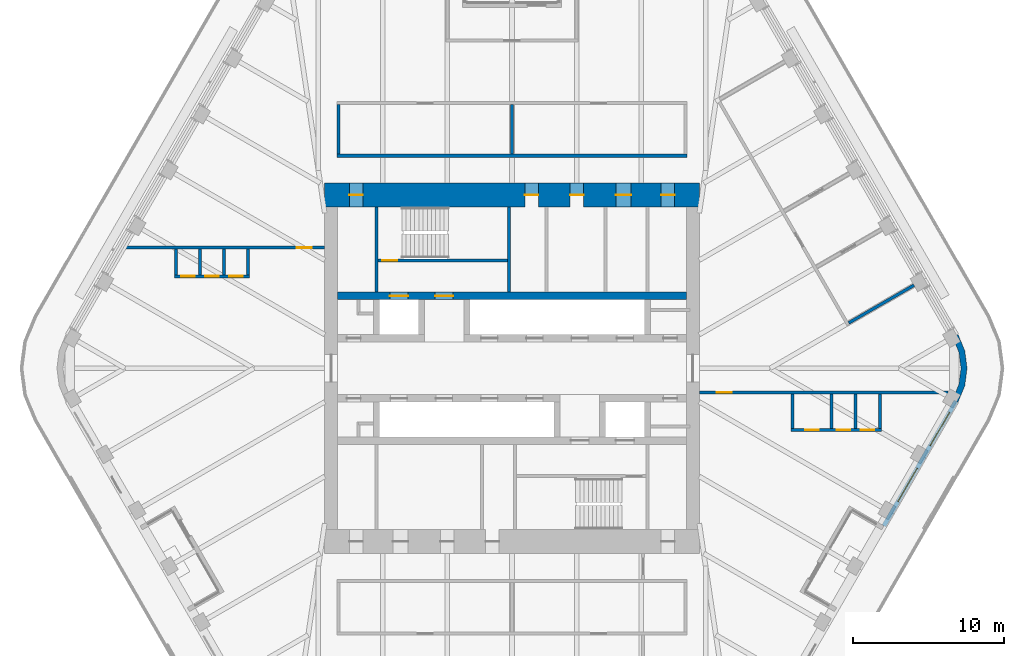
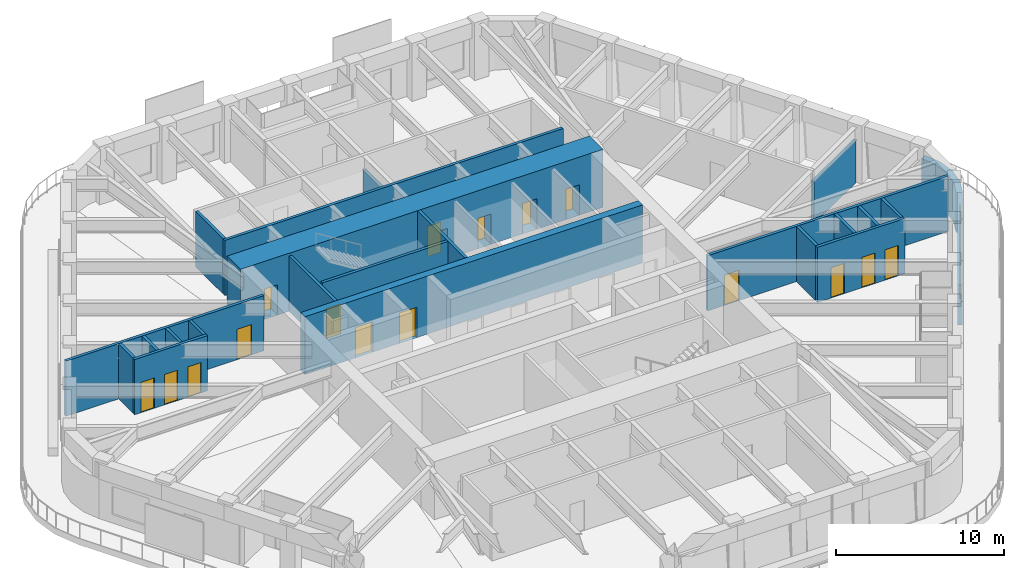
# One storey, part 15 of 19: 23 walls, 16 doors, 2 windows, 18 openings.
"""IFC4 building model written with IfcOpenShell, lengths in metres."""

from ifc_helpers import new_model, si_unit, direction, frame, frame_2d, origin, place, context, subcontext, project, spatial, polyline, rectangle, outline, extrude, material, layer, layer_set, type_object, element, fill, save


model = new_model("IFC4")

# Units and contexts
model_context = context("Model", 3, precision=1e-05, world=origin(), true_north=direction((0.0, 1.0)))
body_context = subcontext(model_context, "Body", "Model", "MODEL_VIEW")
ifc_project = project(units=[si_unit("LENGTHUNIT", "METRE"), si_unit("AREAUNIT", "SQUARE_METRE"), si_unit("VOLUMEUNIT", "CUBIC_METRE"), si_unit("PLANEANGLEUNIT", "RADIAN"), si_unit("MASSUNIT", "GRAM", prefix="KILO")], contexts=[model_context])

# Site, building, storey
site_placement = place(None, origin())
site = spatial("IfcSite", under=ifc_project, at=site_placement, CompositionType="ELEMENT")
building_placement = place(site_placement, origin())
building = spatial("IfcBuilding", under=site, at=building_placement, Name="Tarfa Lantern Tower", CompositionType="ELEMENT")
storey_placement = place(building_placement, frame((0.0, 0.0, 349.300048828125)))
storey = spatial("IfcBuildingStorey", under=building, at=storey_placement, Name="L79", CompositionType="ELEMENT", Elevation=349.300048828125)

# Wall, openings, windows
ifc_material_1 = material(Name="Limestone cladding on blockwork", Category="masonry")
ifc_layer_1 = layer(ifc_material_1, 0.300048828125)
ifc_layer_set_1 = layer_set([ifc_layer_1], Name="EW1 STONE-CLAD WALL 300")
wall_type_1 = type_object("IfcWallType", Name="EW1 STONE-CLAD WALL 300", PredefinedType="SOLIDWALL", material=ifc_layer_set_1)
wall_1_placement = place(storey_placement, frame((24.67724609375, -10.457763671875, 0.0), z_axis=(0.0, 0.0, 1.0), x_axis=(0.499996453679, 0.866027451244, 0.0)))
wall_1 = element("IfcWall", 1, at=wall_1_placement, inside=storey, type_object=wall_type_1, Name="Stone wall SEB", PredefinedType="SOLIDWALL", context=body_context, shape_type="SweptSolid", body=[
    extrude(rectangle(XDim=9.56396484375, YDim=0.300048828125, at=frame_2d((4.781982421875, 0.0))), origin(), (0.0, 0.0, 1.0), 2.89990234375),
])
opening_1_placement = place(wall_1_placement, frame((1.865966796875, 0.0, 0.60009765625)))
opening_1 = element("IfcOpeningElement", 2, at=opening_1_placement, cuts=wall_1, Name="Opening W17", PredefinedType="OPENING", context=body_context, shape_type="SweptSolid", body=[
    extrude(rectangle(XDim=2.550048828125, YDim=2.050048828125, at=frame_2d((1.27490234375, 1.02490234375))), frame((0.0, 0.159912109375, 0.0), z_axis=(0.0, -1.0, 0.0), x_axis=(1.0, 0.0, 0.0)), (0.0, 0.0, 1.0), 0.320068359375),
])
opening_2_placement = place(wall_1_placement, frame((6.14794921875, 0.0, 0.60009765625)))
opening_2 = element("IfcOpeningElement", 3, at=opening_2_placement, cuts=wall_1, Name="Opening W17", PredefinedType="OPENING", context=body_context, shape_type="SweptSolid", body=[
    extrude(rectangle(XDim=2.550048828125, YDim=2.050048828125, at=frame_2d((1.27490234375, 1.02490234375))), frame((0.0, 0.159912109375, 0.0), z_axis=(0.0, -1.0, 0.0), x_axis=(1.0, 0.0, 0.0)), (0.0, 0.0, 1.0), 0.320068359375),
])
ifc_material_2 = material(Name="Aluminium frame, double glazed", Category="aluminium")
window_type = type_object("IfcWindowType", Name="W17 FULL-HEIGHT GLAZING 2550x2050", PartitioningType="SINGLE_PANEL", PredefinedType="WINDOW", material=ifc_material_2)
window_1_placement = place(opening_1_placement, origin())
window_1 = element("IfcWindow", 4, at=window_1_placement, inside=storey, type_object=window_type, Name="Window SEB 1", OverallHeight=2.050048828125, OverallWidth=2.550048828125, PartitioningType="SINGLE_PANEL", PredefinedType="WINDOW", context=body_context, shape_type="SweptSolid", body=[
    extrude(rectangle(XDim=2.550048828125, YDim=2.050048828125, at=frame_2d((1.27490234375, 1.02490234375))), frame((0.0, 0.030029296875, 0.0), z_axis=(0.0, -1.0, 0.0), x_axis=(1.0, 0.0, 0.0)), (0.0, 0.0, 1.0), 0.06005859375),
])
fill(opening_1, window_1)
window_2_placement = place(opening_2_placement, origin())
window_2 = element("IfcWindow", 5, at=window_2_placement, inside=storey, type_object=window_type, Name="Window SEB 2", OverallHeight=2.050048828125, OverallWidth=2.550048828125, PartitioningType="SINGLE_PANEL", PredefinedType="WINDOW", context=body_context, shape_type="SweptSolid", body=[
    extrude(rectangle(XDim=2.550048828125, YDim=2.050048828125, at=frame_2d((1.27490234375, 1.02490234375))), frame((0.0, 0.030029296875, 0.0), z_axis=(0.0, -1.0, 0.0), x_axis=(1.0, 0.0, 0.0)), (0.0, 0.0, 1.0), 0.06005859375),
])
fill(opening_2, window_2)

# Walls
ifc_layer_2 = layer(ifc_material_1, 0.39990234375)
ifc_layer_set_2 = layer_set([ifc_layer_2], Name="EW2 CURVED STONE CORNER 400")
wall_type_2 = type_object("IfcWallType", Name="EW2 CURVED STONE CORNER 400", PredefinedType="SOLIDWALL", material=ifc_layer_set_2)
wall_2_placement = place(storey_placement, origin())
element("IfcWall", 6, at=wall_2_placement, inside=storey, type_object=wall_type_2, Name="Stone corner SE-NE", PredefinedType="SOLIDWALL", context=body_context, shape_type="SweptSolid", body=[
    extrude(outline(polyline([(29.589111328125, -2.25), (30.038818359375, -1.164794921875), (30.192138671875, 0.0), (30.038818359375, 1.164794921875), (29.589111328125, 2.25), (29.24267578125, 2.050048828125), (29.65234375, 1.061279296875), (29.7919921875, 0.0), (29.65234375, -1.061279296875), (29.24267578125, -2.050048828125), (29.589111328125, -2.25)])), origin(), (0.0, 0.0, 1.0), 2.89990234375),
])
ifc_material_3 = material(Name="Concrete blockwork", Category="masonry")
ifc_layer_3 = layer(ifc_material_3, 0.199951171875)
ifc_layer_set_3 = layer_set([ifc_layer_3], Name="IW1 BLOCKWORK PARTITION 200 EI 120")
wall_type_3 = type_object("IfcWallType", Name="IW1 BLOCKWORK PARTITION 200 EI 120", PredefinedType="PARTITIONING", material=ifc_layer_set_3)
wall_3_placement = place(storey_placement, frame((-9.0, 5.050048828125, 0.0), z_axis=(0.0, 0.0, 1.0), x_axis=(0.0, 1.0, 0.0)))
element("IfcWall", 7, at=wall_3_placement, inside=storey, type_object=wall_type_3, Name="Core partition", PredefinedType="PARTITIONING", context=body_context, shape_type="SweptSolid", body=[
    extrude(rectangle(XDim=5.64990234375, YDim=0.199951171875, at=frame_2d((2.824951171875, 0.0))), origin(), (0.0, 0.0, 1.0), 4.0),
])
ifc_material_4 = material(Name="Gypsum board on steel studs", Category="steel")
ifc_layer_4 = layer(ifc_material_4, 0.2099609375)
ifc_layer_set_4 = layer_set([ifc_layer_4], Name="IW2 ACOUSTIC PARTITION 200")
wall_type_4 = type_object("IfcWallType", Name="IW2 ACOUSTIC PARTITION 200", PredefinedType="PARTITIONING", material=ifc_layer_set_4)
wall_4_placement = place(storey_placement, frame((-11.60009765625, 14.10009765625, 0.0), z_axis=(0.0, 0.0, 1.0), x_axis=(1.0, 0.0, 0.0)))
element("IfcWall", 8, at=wall_4_placement, inside=storey, type_object=wall_type_4, Name="Partition", PredefinedType="PARTITIONING", context=body_context, shape_type="SweptSolid", body=[
    extrude(rectangle(XDim=23.2001953125, YDim=0.199951171875, at=frame_2d((11.60009765625, 0.0))), origin(), (0.0, 0.0, 1.0), 4.0),
])
wall_5_placement = place(storey_placement, frame((-11.5, 14.199951171875, 0.0), z_axis=(0.0, 0.0, 1.0), x_axis=(0.0, 1.0, 0.0)))
element("IfcWall", 9, at=wall_5_placement, inside=storey, type_object=wall_type_4, Name="Partition", PredefinedType="PARTITIONING", context=body_context, shape_type="SweptSolid", body=[
    extrude(rectangle(XDim=3.300048828125, YDim=0.199951171875, at=frame_2d((1.64990234375, 0.0))), origin(), (0.0, 0.0, 1.0), 4.0),
])
wall_6_placement = place(storey_placement, frame((0.0, 14.199951171875, 0.0), z_axis=(0.0, 0.0, 1.0), x_axis=(0.0, 1.0, 0.0)))
element("IfcWall", 10, at=wall_6_placement, inside=storey, type_object=wall_type_4, Name="Partition", PredefinedType="PARTITIONING", context=body_context, shape_type="SweptSolid", body=[
    extrude(rectangle(XDim=3.300048828125, YDim=0.199951171875, at=frame_2d((1.64990234375, 0.0))), origin(), (0.0, 0.0, 1.0), 2.991943359375),
])
wall_7_placement = place(storey_placement, frame((22.338623046875, 3.00830078125, 0.0), z_axis=(0.0, 0.0, 1.0), x_axis=(0.866022959057, 0.500004234368, 0.0)))
element("IfcWall", 11, at=wall_7_placement, inside=storey, type_object=wall_type_4, Name="Partition", PredefinedType="PARTITIONING", context=body_context, shape_type="SweptSolid", body=[
    extrude(rectangle(XDim=5.0, YDim=0.199951171875, at=frame_2d((2.5, 0.0))), origin(), (0.0, 0.0, 1.0), 3.08154296875),
])

# Wall, opening, door
wall_8_placement = place(storey_placement, frame((12.425048828125, -1.60009765625, 0.0), z_axis=(0.0, 0.0, 1.0), x_axis=(1.0, 0.0, 0.0)))
wall_8 = element("IfcWall", 12, at=wall_8_placement, inside=storey, type_object=wall_type_4, Name="Partition", PredefinedType="PARTITIONING", context=body_context, shape_type="SweptSolid", body=[
    extrude(rectangle(XDim=16.500244140625, YDim=0.199951171875, at=frame_2d((8.25, 0.0))), origin(), (0.0, 0.0, 1.0), 4.0),
])
opening_3_placement = place(wall_8_placement, frame((1.150146484375, 0.0, 0.0)))
opening_3 = element("IfcOpeningElement", 13, at=opening_3_placement, cuts=wall_8, Name="Opening D35", PredefinedType="OPENING", context=body_context, shape_type="SweptSolid", body=[
    extrude(rectangle(XDim=1.0, YDim=2.199951171875, at=frame_2d((0.5, 1.10009765625))), frame((0.0, 0.10986328125, 0.0), z_axis=(0.0, -1.0, 0.0), x_axis=(1.0, 0.0, 0.0)), (0.0, 0.0, 1.0), 0.219970703125),
])
ifc_material_5 = material(Name="Timber door", Category="wood")
door_type_1 = type_object("IfcDoorType", Name="DR1 ROOM DOOR 1000x2200", OperationType="SINGLE_SWING_LEFT", PredefinedType="DOOR", material=ifc_material_5)
door_1_placement = place(opening_3_placement, frame((1.0, 0.0, 0.0), z_axis=(0.0, 0.0, 1.0), x_axis=(-1.0, 0.0, 0.0)))
door_1 = element("IfcDoor", 14, at=door_1_placement, inside=storey, type_object=door_type_1, Name="Zone door", OperationType="SINGLE_SWING_LEFT", OverallHeight=2.199951171875, OverallWidth=1.0, PredefinedType="DOOR", context=body_context, shape_type="SweptSolid", body=[
    extrude(rectangle(XDim=1.0, YDim=2.199951171875, at=frame_2d((0.5, 1.10009765625))), frame((0.0, 0.02490234375, 0.0), z_axis=(0.0, -1.0, 0.0), x_axis=(1.0, 0.0, 0.0)), (0.0, 0.0, 1.0), 0.050048828125),
])
fill(opening_3, door_1)

wall_9_placement = place(storey_placement, frame((-12.425048828125, 8.0, 0.0), z_axis=(0.0, 0.0, 1.0), x_axis=(-1.0, 0.0, 0.0)))
wall_9 = element("IfcWall", 15, at=wall_9_placement, inside=storey, type_object=wall_type_4, Name="Partition", PredefinedType="PARTITIONING", context=body_context, shape_type="SweptSolid", body=[
    extrude(rectangle(XDim=13.59033203125, YDim=0.199951171875, at=frame_2d((6.795166015625, 0.0))), origin(), (0.0, 0.0, 1.0), 4.0),
])
opening_4_placement = place(wall_9_placement, frame((0.859130859375, 0.0, 0.0)))
opening_4 = element("IfcOpeningElement", 16, at=opening_4_placement, cuts=wall_9, Name="Opening D37", PredefinedType="OPENING", context=body_context, shape_type="SweptSolid", body=[
    extrude(rectangle(XDim=1.0, YDim=2.199951171875, at=frame_2d((0.5, 1.10009765625))), frame((0.0, 0.10986328125, 0.0), z_axis=(0.0, -1.0, 0.0), x_axis=(1.0, 0.0, 0.0)), (0.0, 0.0, 1.0), 0.219970703125),
])
door_2_placement = place(opening_4_placement, frame((1.0, 0.0, 0.0), z_axis=(0.0, 0.0, 1.0), x_axis=(-1.0, 0.0, 0.0)))
door_2 = element("IfcDoor", 17, at=door_2_placement, inside=storey, type_object=door_type_1, Name="Zone door", OperationType="SINGLE_SWING_LEFT", OverallHeight=2.199951171875, OverallWidth=1.0, PredefinedType="DOOR", context=body_context, shape_type="SweptSolid", body=[
    extrude(rectangle(XDim=1.0, YDim=2.199951171875, at=frame_2d((0.5, 1.10009765625))), frame((0.0, 0.02490234375, 0.0), z_axis=(0.0, -1.0, 0.0), x_axis=(1.0, 0.0, 0.0)), (0.0, 0.0, 1.0), 0.050048828125),
])
fill(opening_4, door_2)

# Wall, openings, doors
wall_10_placement = place(storey_placement, frame((18.500244140625, -4.10009765625, 0.0), z_axis=(0.0, 0.0, 1.0), x_axis=(1.0, 0.0, 0.0)))
wall_10 = element("IfcWall", 18, at=wall_10_placement, inside=storey, type_object=wall_type_4, Name="Partition", PredefinedType="PARTITIONING", context=body_context, shape_type="SweptSolid", body=[
    extrude(rectangle(XDim=6.0, YDim=0.199951171875, at=frame_2d((3.0, 0.0))), origin(), (0.0, 0.0, 1.0), 4.0),
])
opening_5_placement = place(wall_10_placement, frame((0.949951171875, 0.0, 0.0)))
opening_5 = element("IfcOpeningElement", 19, at=opening_5_placement, cuts=wall_10, Name="Opening D29", PredefinedType="OPENING", context=body_context, shape_type="SweptSolid", body=[
    extrude(rectangle(XDim=0.89990234375, YDim=2.199951171875, at=frame_2d((0.449951171875, 1.10009765625))), frame((0.0, 0.10986328125, 0.0), z_axis=(0.0, -1.0, 0.0), x_axis=(1.0, 0.0, 0.0)), (0.0, 0.0, 1.0), 0.219970703125),
])
opening_6_placement = place(wall_10_placement, frame((3.050048828125, 0.0, 0.0)))
opening_6 = element("IfcOpeningElement", 20, at=opening_6_placement, cuts=wall_10, Name="Opening D30", PredefinedType="OPENING", context=body_context, shape_type="SweptSolid", body=[
    extrude(rectangle(XDim=0.89990234375, YDim=2.199951171875, at=frame_2d((0.449951171875, 1.10009765625))), frame((0.0, 0.10986328125, 0.0), z_axis=(0.0, -1.0, 0.0), x_axis=(1.0, 0.0, 0.0)), (0.0, 0.0, 1.0), 0.219970703125),
])
opening_7_placement = place(wall_10_placement, frame((4.64990234375, 0.0, 0.0)))
opening_7 = element("IfcOpeningElement", 21, at=opening_7_placement, cuts=wall_10, Name="Opening D31", PredefinedType="OPENING", context=body_context, shape_type="SweptSolid", body=[
    extrude(rectangle(XDim=0.89990234375, YDim=2.199951171875, at=frame_2d((0.449951171875, 1.10009765625))), frame((0.0, 0.10986328125, 0.0), z_axis=(0.0, -1.0, 0.0), x_axis=(1.0, 0.0, 0.0)), (0.0, 0.0, 1.0), 0.219970703125),
])
door_type_2 = type_object("IfcDoorType", Name="DR3 ROOM DOOR 900x2200", OperationType="SINGLE_SWING_LEFT", PredefinedType="DOOR", material=ifc_material_5)
door_3_placement = place(opening_5_placement, origin())
door_3 = element("IfcDoor", 22, at=door_3_placement, inside=storey, type_object=door_type_2, Name="Print and copy room door", OperationType="SINGLE_SWING_RIGHT", OverallHeight=2.199951171875, OverallWidth=0.89990234375, PredefinedType="DOOR", context=body_context, shape_type="SweptSolid", body=[
    extrude(rectangle(XDim=0.89990234375, YDim=2.199951171875, at=frame_2d((0.449951171875, 1.10009765625))), frame((0.0, 0.02490234375, 0.0), z_axis=(0.0, -1.0, 0.0), x_axis=(1.0, 0.0, 0.0)), (0.0, 0.0, 1.0), 0.050048828125),
])
fill(opening_5, door_3)
door_4_placement = place(opening_6_placement, origin())
door_4 = element("IfcDoor", 23, at=door_4_placement, inside=storey, type_object=door_type_2, Name="Phone booth door", OperationType="SINGLE_SWING_LEFT", OverallHeight=2.199951171875, OverallWidth=0.89990234375, PredefinedType="DOOR", context=body_context, shape_type="SweptSolid", body=[
    extrude(rectangle(XDim=0.89990234375, YDim=2.199951171875, at=frame_2d((0.449951171875, 1.10009765625))), frame((0.0, 0.02490234375, 0.0), z_axis=(0.0, -1.0, 0.0), x_axis=(1.0, 0.0, 0.0)), (0.0, 0.0, 1.0), 0.050048828125),
])
fill(opening_6, door_4)
door_5_placement = place(opening_7_placement, origin())
door_5 = element("IfcDoor", 24, at=door_5_placement, inside=storey, type_object=door_type_2, Name="Phone booth door", OperationType="SINGLE_SWING_LEFT", OverallHeight=2.199951171875, OverallWidth=0.89990234375, PredefinedType="DOOR", context=body_context, shape_type="SweptSolid", body=[
    extrude(rectangle(XDim=0.89990234375, YDim=2.199951171875, at=frame_2d((0.449951171875, 1.10009765625))), frame((0.0, 0.02490234375, 0.0), z_axis=(0.0, -1.0, 0.0), x_axis=(1.0, 0.0, 0.0)), (0.0, 0.0, 1.0), 0.050048828125),
])
fill(opening_7, door_5)

# Walls
for number, where, z_axis, x_axis, name in (
    (25, (18.60009765625, -1.699951171875, 0.0), (0.0, 0.0, 1.0), (0.0, -1.0, 0.0), "Partition"),
    (26, (21.2001953125, -1.699951171875, 0.0), (0.0, 0.0, 1.0), (0.0, -1.0, 0.0), "Partition"),
    (27, (22.800048828125, -1.699951171875, 0.0), (0.0, 0.0, 1.0), (0.0, -1.0, 0.0), "Partition"),
    (28, (24.400146484375, -1.699951171875, 0.0), (0.0, 0.0, 1.0), (0.0, -1.0, 0.0), "Partition"),
):
    element("IfcWall", number, at=place(storey_placement, frame(where, z_axis=z_axis, x_axis=x_axis)), inside=storey, type_object=wall_type_4, Name=name, PredefinedType="PARTITIONING", context=body_context, shape_type="SweptSolid", body=[
        extrude(rectangle(XDim=2.300048828125, YDim=0.199951171875, at=frame_2d((1.14990234375, 0.0))), origin(), (0.0, 0.0, 1.0), 4.0),
    ])

# Wall, openings, doors
wall_11_placement = place(storey_placement, frame((-17.399658203125, 6.10009765625, 0.0), z_axis=(0.0, 0.0, 1.0), x_axis=(-1.0, 0.0, 0.0)))
wall_11 = element("IfcWall", 29, at=wall_11_placement, inside=storey, type_object=wall_type_4, Name="Partition", PredefinedType="PARTITIONING", context=body_context, shape_type="SweptSolid", body=[
    extrude(rectangle(XDim=5.0, YDim=0.199951171875, at=frame_2d((2.5, 0.0))), origin(), (0.0, 0.0, 1.0), 4.0),
])
opening_8_placement = place(wall_11_placement, frame((0.449951171875, 0.0, 0.0)))
opening_8 = element("IfcOpeningElement", 30, at=opening_8_placement, cuts=wall_11, Name="Opening D32", PredefinedType="OPENING", context=body_context, shape_type="SweptSolid", body=[
    extrude(rectangle(XDim=0.89990234375, YDim=2.199951171875, at=frame_2d((0.449951171875, 1.10009765625))), frame((0.0, 0.10986328125, 0.0), z_axis=(0.0, -1.0, 0.0), x_axis=(1.0, 0.0, 0.0)), (0.0, 0.0, 1.0), 0.219970703125),
])
opening_9_placement = place(wall_11_placement, frame((2.050048828125, 0.0, 0.0)))
opening_9 = element("IfcOpeningElement", 31, at=opening_9_placement, cuts=wall_11, Name="Opening D33", PredefinedType="OPENING", context=body_context, shape_type="SweptSolid", body=[
    extrude(rectangle(XDim=0.89990234375, YDim=2.199951171875, at=frame_2d((0.449951171875, 1.10009765625))), frame((0.0, 0.10986328125, 0.0), z_axis=(0.0, -1.0, 0.0), x_axis=(1.0, 0.0, 0.0)), (0.0, 0.0, 1.0), 0.219970703125),
])
opening_10_placement = place(wall_11_placement, frame((3.64990234375, 0.0, 0.0)))
opening_10 = element("IfcOpeningElement", 32, at=opening_10_placement, cuts=wall_11, Name="Opening D34", PredefinedType="OPENING", context=body_context, shape_type="SweptSolid", body=[
    extrude(rectangle(XDim=0.89990234375, YDim=2.199951171875, at=frame_2d((0.449951171875, 1.10009765625))), frame((0.0, 0.10986328125, 0.0), z_axis=(0.0, -1.0, 0.0), x_axis=(1.0, 0.0, 0.0)), (0.0, 0.0, 1.0), 0.219970703125),
])
door_6_placement = place(opening_8_placement, frame((0.89990234375, 0.0, 0.0), z_axis=(0.0, 0.0, 1.0), x_axis=(-1.0, 0.0, 0.0)))
door_6 = element("IfcDoor", 33, at=door_6_placement, inside=storey, type_object=door_type_2, Name="Phone booth door", OperationType="SINGLE_SWING_LEFT", OverallHeight=2.199951171875, OverallWidth=0.89990234375, PredefinedType="DOOR", context=body_context, shape_type="SweptSolid", body=[
    extrude(rectangle(XDim=0.89990234375, YDim=2.199951171875, at=frame_2d((0.449951171875, 1.10009765625))), frame((0.0, 0.02490234375, 0.0), z_axis=(0.0, -1.0, 0.0), x_axis=(1.0, 0.0, 0.0)), (0.0, 0.0, 1.0), 0.050048828125),
])
fill(opening_8, door_6)
door_7_placement = place(opening_9_placement, frame((0.89990234375, 0.0, 0.0), z_axis=(0.0, 0.0, 1.0), x_axis=(-1.0, 0.0, 0.0)))
door_7 = element("IfcDoor", 34, at=door_7_placement, inside=storey, type_object=door_type_2, Name="Phone booth door", OperationType="SINGLE_SWING_LEFT", OverallHeight=2.199951171875, OverallWidth=0.89990234375, PredefinedType="DOOR", context=body_context, shape_type="SweptSolid", body=[
    extrude(rectangle(XDim=0.89990234375, YDim=2.199951171875, at=frame_2d((0.449951171875, 1.10009765625))), frame((0.0, 0.02490234375, 0.0), z_axis=(0.0, -1.0, 0.0), x_axis=(1.0, 0.0, 0.0)), (0.0, 0.0, 1.0), 0.050048828125),
])
fill(opening_9, door_7)
door_8_placement = place(opening_10_placement, frame((0.89990234375, 0.0, 0.0), z_axis=(0.0, 0.0, 1.0), x_axis=(-1.0, 0.0, 0.0)))
door_8 = element("IfcDoor", 35, at=door_8_placement, inside=storey, type_object=door_type_2, Name="Phone booth door", OperationType="SINGLE_SWING_RIGHT", OverallHeight=2.199951171875, OverallWidth=0.89990234375, PredefinedType="DOOR", context=body_context, shape_type="SweptSolid", body=[
    extrude(rectangle(XDim=0.89990234375, YDim=2.199951171875, at=frame_2d((0.449951171875, 1.10009765625))), frame((0.0, 0.02490234375, 0.0), z_axis=(0.0, -1.0, 0.0), x_axis=(1.0, 0.0, 0.0)), (0.0, 0.0, 1.0), 0.050048828125),
])
fill(opening_10, door_8)

# Walls
for number, where, z_axis, x_axis, name in (
    (36, (-17.499755859375, 7.89990234375, 0.0), (0.0, 0.0, 1.0), (0.0, -1.0, 0.0), "Partition"),
    (37, (-19.099609375, 7.89990234375, 0.0), (0.0, 0.0, 1.0), (0.0, -1.0, 0.0), "Partition"),
    (38, (-20.69970703125, 7.89990234375, 0.0), (0.0, 0.0, 1.0), (0.0, -1.0, 0.0), "Partition"),
    (39, (-22.299560546875, 7.89990234375, 0.0), (0.0, 0.0, 1.0), (0.0, -1.0, 0.0), "Partition"),
):
    element("IfcWall", number, at=place(storey_placement, frame(where, z_axis=z_axis, x_axis=x_axis)), inside=storey, type_object=wall_type_4, Name=name, PredefinedType="PARTITIONING", context=body_context, shape_type="SweptSolid", body=[
        extrude(rectangle(XDim=1.699951171875, YDim=0.199951171875, at=frame_2d((0.85009765625, 0.0))), origin(), (0.0, 0.0, 1.0), 4.0),
    ])
ifc_material_6 = material(Name="Concrete C80/95", Category="concrete")
ifc_layer_5 = layer(ifc_material_6, 0.199951171875)
ifc_layer_set_5 = layer_set([ifc_layer_5], Name="SW12 CORE WALL 200")
wall_type_5 = type_object("IfcWallType", Name="SW12 CORE WALL 200", PredefinedType="SHEAR", material=ifc_layer_set_5)
wall_12_placement = place(storey_placement, frame((-0.199951171875, 5.050048828125, 0.0), z_axis=(0.0, 0.0, 1.0), x_axis=(0.0, 1.0, 0.0)))
element("IfcWall", 40, at=wall_12_placement, inside=storey, type_object=wall_type_5, Name="Core wall stair shaft N", PredefinedType="SHEAR", context=body_context, shape_type="SweptSolid", body=[
    extrude(rectangle(XDim=5.64990234375, YDim=0.199951171875, at=frame_2d((2.824951171875, 0.0))), origin(), (0.0, 0.0, 1.0), 4.199951171875),
])

# Wall, opening, door
wall_13_placement = place(storey_placement, frame((-8.89990234375, 7.14990234375, 0.0), z_axis=(0.0, 0.0, 1.0), x_axis=(1.0, 0.0, 0.0)))
wall_13 = element("IfcWall", 41, at=wall_13_placement, inside=storey, type_object=wall_type_5, Name="Core wall stair partition N", PredefinedType="SHEAR", context=body_context, shape_type="SweptSolid", body=[
    extrude(rectangle(XDim=8.599853515625, YDim=0.199951171875, at=frame_2d((4.2998046875, 0.0))), origin(), (0.0, 0.0, 1.0), 4.199951171875),
])
opening_11_placement = place(wall_13_placement, frame((0.300048828125, 0.0, 0.0)))
opening_11 = element("IfcOpeningElement", 42, at=opening_11_placement, cuts=wall_13, Name="Opening D19", PredefinedType="OPENING", context=body_context, shape_type="SweptSolid", body=[
    extrude(rectangle(XDim=1.0, YDim=2.199951171875, at=frame_2d((0.5, 1.10009765625))), frame((0.0, 0.10986328125, 0.0), z_axis=(0.0, -1.0, 0.0), x_axis=(1.0, 0.0, 0.0)), (0.0, 0.0, 1.0), 0.219970703125),
])
ifc_material_7 = material(Name="Steel fire door", Category="steel")
door_type_3 = type_object("IfcDoorType", Name="DF2 STAIR DOOR 1000x2200", OperationType="SINGLE_SWING_LEFT", PredefinedType="DOOR", material=ifc_material_7)
door_9_placement = place(opening_11_placement, origin())
door_9 = element("IfcDoor", 43, at=door_9_placement, inside=storey, type_object=door_type_3, Name="Stair door", OperationType="SINGLE_SWING_RIGHT", OverallHeight=2.199951171875, OverallWidth=1.0, PredefinedType="DOOR", context=body_context, shape_type="SweptSolid", body=[
    extrude(rectangle(XDim=1.0, YDim=2.199951171875, at=frame_2d((0.5, 1.10009765625))), frame((0.0, 0.02490234375, 0.0), z_axis=(0.0, -1.0, 0.0), x_axis=(1.0, 0.0, 0.0)), (0.0, 0.0, 1.0), 0.050048828125),
])
fill(opening_11, door_9)

# Wall, openings, doors
ifc_layer_6 = layer(ifc_material_6, 0.5)
ifc_layer_set_6 = layer_set([ifc_layer_6], Name="SW5 CORE WALL 500")
wall_type_6 = type_object("IfcWallType", Name="SW5 CORE WALL 500", PredefinedType="SHEAR", material=ifc_layer_set_6)
wall_14_placement = place(storey_placement, frame((-11.574951171875, 4.800048828125, 0.0), z_axis=(0.0, 0.0, 1.0), x_axis=(1.0, 0.0, 0.0)))
wall_14 = element("IfcWall", 44, at=wall_14_placement, inside=storey, type_object=wall_type_6, Name="Core wall rear N", PredefinedType="SHEAR", context=body_context, shape_type="SweptSolid", body=[
    extrude(rectangle(XDim=23.14990234375, YDim=0.5, at=frame_2d((11.574951171875, 0.0))), origin(), (0.0, 0.0, 1.0), 4.199951171875),
])
opening_12_placement = place(wall_14_placement, frame((6.47509765625, 0.0, 0.0)))
opening_12 = element("IfcOpeningElement", 45, at=opening_12_placement, cuts=wall_14, Name="Opening D05", PredefinedType="OPENING", context=body_context, shape_type="SweptSolid", body=[
    extrude(rectangle(XDim=1.199951171875, YDim=2.199951171875, at=frame_2d((0.60009765625, 1.10009765625))), frame((0.0, 0.260009765625, 0.0), z_axis=(0.0, -1.0, 0.0), x_axis=(1.0, 0.0, 0.0)), (0.0, 0.0, 1.0), 0.52001953125),
])
opening_13_placement = place(wall_14_placement, frame((3.47509765625, 0.0, 0.0)))
opening_13 = element("IfcOpeningElement", 46, at=opening_13_placement, cuts=wall_14, Name="Opening LD01", PredefinedType="OPENING", context=body_context, shape_type="SweptSolid", body=[
    extrude(rectangle(XDim=1.199951171875, YDim=2.199951171875, at=frame_2d((0.60009765625, 1.10009765625))), frame((0.0, 0.260009765625, 0.0), z_axis=(0.0, -1.0, 0.0), x_axis=(1.0, 0.0, 0.0)), (0.0, 0.0, 1.0), 0.52001953125),
])
door_type_4 = type_object("IfcDoorType", Name="DF1 FIREFIGHTING LOBBY DOOR 1200x2200", OperationType="SINGLE_SWING_LEFT", PredefinedType="DOOR", material=ifc_material_7)
door_10_placement = place(opening_12_placement, origin())
door_10 = element("IfcDoor", 47, at=door_10_placement, inside=storey, type_object=door_type_4, Name="Firefighting lobby door", OperationType="SINGLE_SWING_LEFT", OverallHeight=2.199951171875, OverallWidth=1.199951171875, PredefinedType="DOOR", context=body_context, shape_type="SweptSolid", body=[
    extrude(rectangle(XDim=1.199951171875, YDim=2.199951171875, at=frame_2d((0.60009765625, 1.10009765625))), frame((0.0, 0.02490234375, 0.0), z_axis=(0.0, -1.0, 0.0), x_axis=(1.0, 0.0, 0.0)), (0.0, 0.0, 1.0), 0.050048828125),
])
fill(opening_12, door_10)
ifc_material_8 = material(Name="Stainless steel lift door", Category="steel")
door_type_5 = type_object("IfcDoorType", Name="LD1 LIFT LANDING DOOR 1200x2200", OperationType="SLIDING_TO_LEFT", PredefinedType="DOOR", material=ifc_material_8)
door_11_placement = place(opening_13_placement, origin())
door_11 = element("IfcDoor", 48, at=door_11_placement, inside=storey, type_object=door_type_5, Name="Landing door FL1", OperationType="SLIDING_TO_LEFT", OverallHeight=2.199951171875, OverallWidth=1.199951171875, PredefinedType="DOOR", context=body_context, shape_type="SweptSolid", body=[
    extrude(rectangle(XDim=1.199951171875, YDim=2.199951171875, at=frame_2d((0.60009765625, 1.10009765625))), frame((0.0, 0.02490234375, 0.0), z_axis=(0.0, -1.0, 0.0), x_axis=(1.0, 0.0, 0.0)), (0.0, 0.0, 1.0), 0.050048828125),
])
fill(opening_13, door_11)

ifc_layer_7 = layer(ifc_material_6, 1.60009765625)
ifc_layer_set_7 = layer_set([ifc_layer_7], Name="SW7 CORE WALL 1600")
wall_type_7 = type_object("IfcWallType", Name="SW7 CORE WALL 1600", PredefinedType="SHEAR", material=ifc_layer_set_7)
wall_15_placement = place(storey_placement, frame((-12.425048828125, 11.5, 0.0), z_axis=(0.0, 0.0, 1.0), x_axis=(1.0, 0.0, 0.0)))
wall_15 = element("IfcWall", 49, at=wall_15_placement, inside=storey, type_object=wall_type_7, Name="Core wall N", PredefinedType="SHEAR", context=body_context, shape_type="SweptSolid", body=[
    extrude(rectangle(XDim=24.85009765625, YDim=1.60009765625, at=frame_2d((12.425048828125, 0.0))), origin(), (0.0, 0.0, 1.0), 4.199951171875),
])
opening_14_placement = place(wall_15_placement, frame((13.27490234375, 0.0, 0.0)))
opening_14 = element("IfcOpeningElement", 50, at=opening_14_placement, cuts=wall_15, Name="Opening D13", PredefinedType="OPENING", context=body_context, shape_type="SweptSolid", body=[
    extrude(rectangle(XDim=0.89990234375, YDim=2.199951171875, at=frame_2d((0.449951171875, 1.10009765625))), frame((0.0, 0.81005859375, 0.0), z_axis=(0.0, -1.0, 0.0), x_axis=(1.0, 0.0, 0.0)), (0.0, 0.0, 1.0), 1.6201171875),
])
opening_15_placement = place(wall_15_placement, frame((16.27490234375, 0.0, 0.0)))
opening_15 = element("IfcOpeningElement", 51, at=opening_15_placement, cuts=wall_15, Name="Opening D15", PredefinedType="OPENING", context=body_context, shape_type="SweptSolid", body=[
    extrude(rectangle(XDim=0.89990234375, YDim=2.199951171875, at=frame_2d((0.449951171875, 1.10009765625))), frame((0.0, 0.81005859375, 0.0), z_axis=(0.0, -1.0, 0.0), x_axis=(1.0, 0.0, 0.0)), (0.0, 0.0, 1.0), 1.6201171875),
])
opening_16_placement = place(wall_15_placement, frame((19.324951171875, 0.0, 0.0)))
opening_16 = element("IfcOpeningElement", 52, at=opening_16_placement, cuts=wall_15, Name="Opening D17", PredefinedType="OPENING", context=body_context, shape_type="SweptSolid", body=[
    extrude(rectangle(XDim=1.0, YDim=2.199951171875, at=frame_2d((0.5, 1.10009765625))), frame((0.0, 0.81005859375, 0.0), z_axis=(0.0, -1.0, 0.0), x_axis=(1.0, 0.0, 0.0)), (0.0, 0.0, 1.0), 1.6201171875),
])
opening_17_placement = place(wall_15_placement, frame((1.637451171875, 0.0, 0.0)))
opening_17 = element("IfcOpeningElement", 53, at=opening_17_placement, cuts=wall_15, Name="Opening D03", PredefinedType="OPENING", context=body_context, shape_type="SweptSolid", body=[
    extrude(rectangle(XDim=0.89990234375, YDim=2.199951171875, at=frame_2d((0.449951171875, 1.10009765625))), frame((0.0, 0.81005859375, 0.0), z_axis=(0.0, -1.0, 0.0), x_axis=(1.0, 0.0, 0.0)), (0.0, 0.0, 1.0), 1.6201171875),
])
opening_18_placement = place(wall_15_placement, frame((22.3125, 0.0, 0.0)))
opening_18 = element("IfcOpeningElement", 54, at=opening_18_placement, cuts=wall_15, Name="Opening D01", PredefinedType="OPENING", context=body_context, shape_type="SweptSolid", body=[
    extrude(rectangle(XDim=0.89990234375, YDim=2.199951171875, at=frame_2d((0.449951171875, 1.10009765625))), frame((0.0, 0.81005859375, 0.0), z_axis=(0.0, -1.0, 0.0), x_axis=(1.0, 0.0, 0.0)), (0.0, 0.0, 1.0), 1.6201171875),
])
door_type_6 = type_object("IfcDoorType", Name="DF3 CORE ROOM DOOR 900x2200", OperationType="SINGLE_SWING_LEFT", PredefinedType="DOOR", material=ifc_material_7)
door_12_placement = place(opening_14_placement, frame((0.89990234375, 0.0, 0.0), z_axis=(0.0, 0.0, 1.0), x_axis=(-1.0, 0.0, 0.0)))
door_12 = element("IfcDoor", 55, at=door_12_placement, inside=storey, type_object=door_type_6, Name="Core door", OperationType="SINGLE_SWING_RIGHT", OverallHeight=2.199951171875, OverallWidth=0.89990234375, PredefinedType="DOOR", context=body_context, shape_type="SweptSolid", body=[
    extrude(rectangle(XDim=0.89990234375, YDim=2.199951171875, at=frame_2d((0.449951171875, 1.10009765625))), frame((0.0, 0.02490234375, 0.0), z_axis=(0.0, -1.0, 0.0), x_axis=(1.0, 0.0, 0.0)), (0.0, 0.0, 1.0), 0.050048828125),
])
fill(opening_14, door_12)
door_13_placement = place(opening_15_placement, frame((0.89990234375, 0.0, 0.0), z_axis=(0.0, 0.0, 1.0), x_axis=(-1.0, 0.0, 0.0)))
door_13 = element("IfcDoor", 56, at=door_13_placement, inside=storey, type_object=door_type_6, Name="Core door", OperationType="SINGLE_SWING_RIGHT", OverallHeight=2.199951171875, OverallWidth=0.89990234375, PredefinedType="DOOR", context=body_context, shape_type="SweptSolid", body=[
    extrude(rectangle(XDim=0.89990234375, YDim=2.199951171875, at=frame_2d((0.449951171875, 1.10009765625))), frame((0.0, 0.02490234375, 0.0), z_axis=(0.0, -1.0, 0.0), x_axis=(1.0, 0.0, 0.0)), (0.0, 0.0, 1.0), 0.050048828125),
])
fill(opening_15, door_13)
door_type_7 = type_object("IfcDoorType", Name="DF4 CORE ROOM DOOR 1000x2200", OperationType="SINGLE_SWING_LEFT", PredefinedType="DOOR", material=ifc_material_7)
door_14_placement = place(opening_16_placement, frame((1.0, 0.0, 0.0), z_axis=(0.0, 0.0, 1.0), x_axis=(-1.0, 0.0, 0.0)))
door_14 = element("IfcDoor", 57, at=door_14_placement, inside=storey, type_object=door_type_7, Name="Core door", OperationType="SINGLE_SWING_LEFT", OverallHeight=2.199951171875, OverallWidth=1.0, PredefinedType="DOOR", context=body_context, shape_type="SweptSolid", body=[
    extrude(rectangle(XDim=1.0, YDim=2.199951171875, at=frame_2d((0.5, 1.10009765625))), frame((0.0, 0.02490234375, 0.0), z_axis=(0.0, -1.0, 0.0), x_axis=(1.0, 0.0, 0.0)), (0.0, 0.0, 1.0), 0.050048828125),
])
fill(opening_16, door_14)
door_type_8 = type_object("IfcDoorType", Name="DF5 RISER DOOR 900x2200", OperationType="SINGLE_SWING_LEFT", PredefinedType="DOOR", material=ifc_material_7)
door_15_placement = place(opening_17_placement, frame((0.89990234375, 0.0, 0.0), z_axis=(0.0, 0.0, 1.0), x_axis=(-1.0, 0.0, 0.0)))
door_15 = element("IfcDoor", 58, at=door_15_placement, inside=storey, type_object=door_type_8, Name="Riser door", OperationType="SINGLE_SWING_LEFT", OverallHeight=2.199951171875, OverallWidth=0.89990234375, PredefinedType="DOOR", context=body_context, shape_type="SweptSolid", body=[
    extrude(rectangle(XDim=0.89990234375, YDim=2.199951171875, at=frame_2d((0.449951171875, 1.10009765625))), frame((0.0, 0.02490234375, 0.0), z_axis=(0.0, -1.0, 0.0), x_axis=(1.0, 0.0, 0.0)), (0.0, 0.0, 1.0), 0.050048828125),
])
fill(opening_17, door_15)
door_16_placement = place(opening_18_placement, frame((0.89990234375, 0.0, 0.0), z_axis=(0.0, 0.0, 1.0), x_axis=(-1.0, 0.0, 0.0)))
door_16 = element("IfcDoor", 59, at=door_16_placement, inside=storey, type_object=door_type_8, Name="Riser door", OperationType="SINGLE_SWING_RIGHT", OverallHeight=2.199951171875, OverallWidth=0.89990234375, PredefinedType="DOOR", context=body_context, shape_type="SweptSolid", body=[
    extrude(rectangle(XDim=0.89990234375, YDim=2.199951171875, at=frame_2d((0.449951171875, 1.10009765625))), frame((0.0, 0.02490234375, 0.0), z_axis=(0.0, -1.0, 0.0), x_axis=(1.0, 0.0, 0.0)), (0.0, 0.0, 1.0), 0.050048828125),
])
fill(opening_18, door_16)

save(model, "model.ifc")
